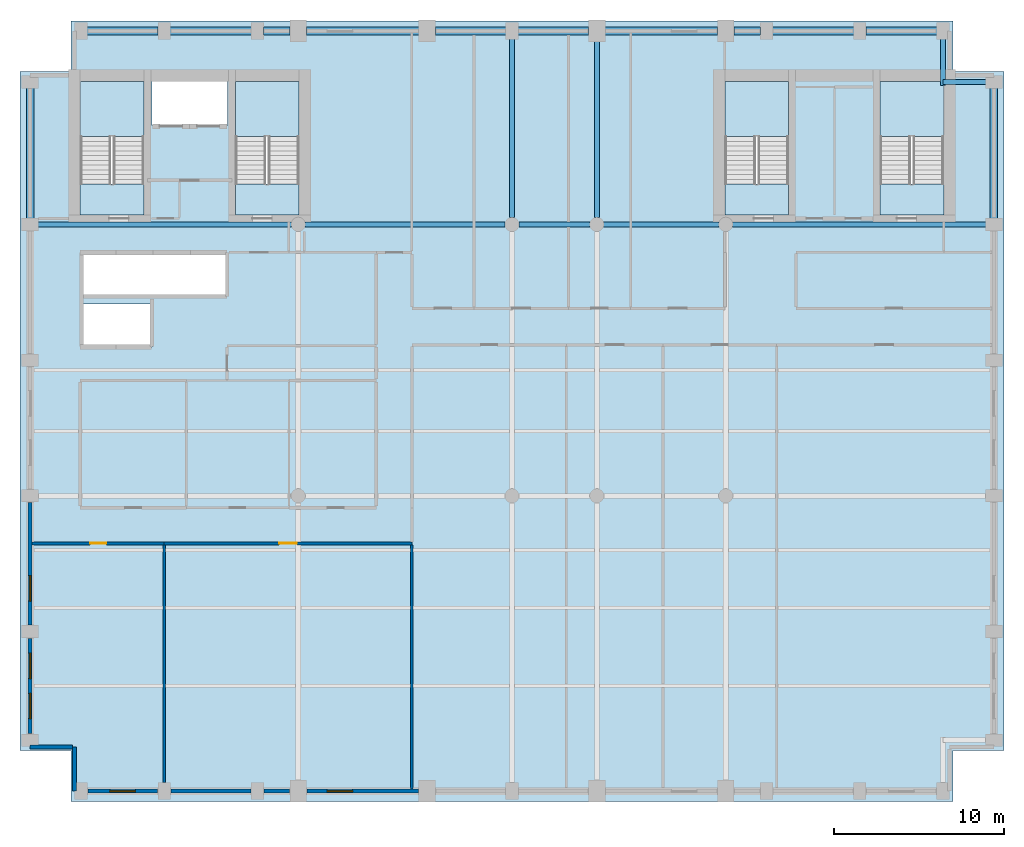
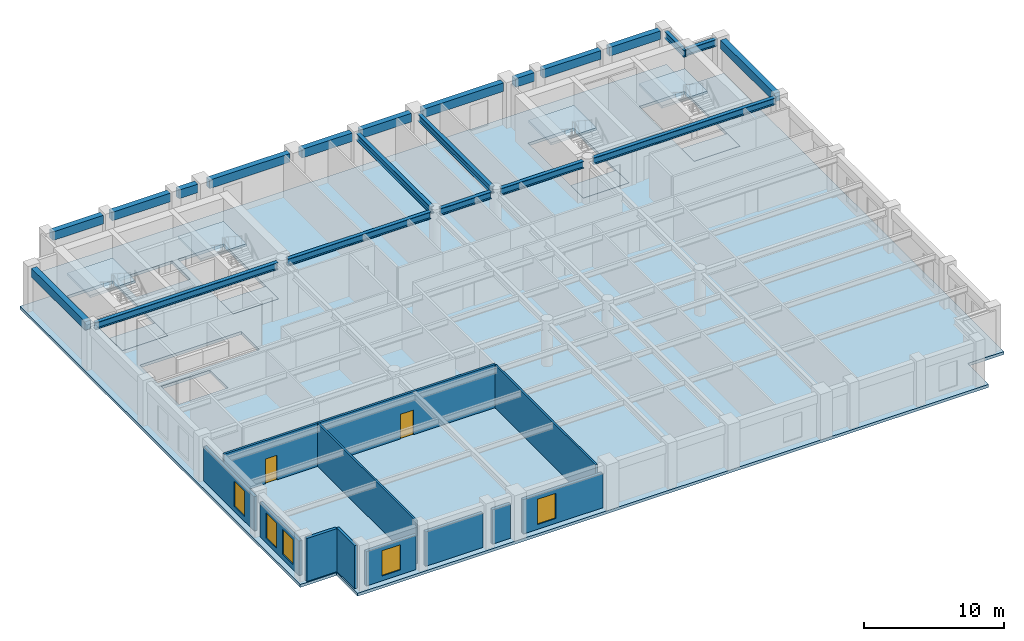
# One storey, part 2 of 8: 21 beams, 12 walls, 9 slabs, 5 windows, 2 doors, 7 openings, 4 elements without a shape of their own.
"""IFC4 building model written with IfcOpenShell, lengths in metres."""

from ifc_helpers import new_model, si_unit, direction, frame, frame_2d, origin, origin_2d, place, context, subcontext, project, spatial, polyline, rectangle, i_section, outline, extrude, material, layer, layer_set, material_profile, profile_set, type_object, element, fill, aggregate, save


model = new_model("IFC4")

# Units and contexts
model_context = context("Model", 3, precision=1e-05, world=origin(), true_north=direction((0.0, 1.0)))
body_context = subcontext(model_context, "Body", "Model", "MODEL_VIEW")
ifc_project = project(units=[si_unit("LENGTHUNIT", "METRE"), si_unit("AREAUNIT", "SQUARE_METRE"), si_unit("VOLUMEUNIT", "CUBIC_METRE"), si_unit("PLANEANGLEUNIT", "RADIAN"), si_unit("MASSUNIT", "GRAM", prefix="KILO")], contexts=[model_context])

# Site, building, storey
site_placement = place(None, origin())
site = spatial("IfcSite", under=ifc_project, at=site_placement, CompositionType="ELEMENT")
building_placement = place(site_placement, origin())
building = spatial("IfcBuilding", under=site, at=building_placement, Name="Sulina Concourse Tower", CompositionType="ELEMENT")
storey_placement = place(building_placement, frame((0.0, 0.0, 226.60009765625)))
storey = spatial("IfcBuildingStorey", under=building, at=storey_placement, Name="L55", CompositionType="ELEMENT", Elevation=226.60009765625)

# Beams
ifc_material_1 = material(Name="Steel S355", Category="steel")
ifc_material_profile_1 = material_profile(ifc_material_1, i_section(OverallWidth=0.300048828125, OverallDepth=0.60009765625, WebThickness=0.015380859375, FlangeThickness=0.030029296875, at=origin_2d()), Name="HE 600 B")
ifc_profile_set_1 = profile_set([ifc_material_profile_1], Name="Steel S355")
beam_type_1 = type_object("IfcBeamType", Name="Floor Primary Girder Zone 3 HE600B", PredefinedType="BEAM", material=ifc_profile_set_1)
beam_1_placement = place(storey_placement, frame((54.39990234375, 42.39990234375, 3.449951171875), z_axis=(1.0, 0.0, 0.0), x_axis=(0.0, 1.0, 0.0)))
element("IfcBeam", 1, at=beam_1_placement, inside=storey, type_object=beam_type_1, Name="TIE-NE-L55", PredefinedType="BEAM", context=body_context, shape_type="SweptSolid", body=[
    extrude(i_section(OverallWidth=0.300048828125, OverallDepth=0.60009765625, WebThickness=0.015380859375, FlangeThickness=0.030029296875, at=origin_2d()), origin(), (0.0, 0.0, 1.0), 2.64501953125),
])
beam_2_placement = place(storey_placement, frame((54.39990234375, 42.199951171875, 3.449951171875), z_axis=(0.0, 1.0, 0.0), x_axis=(-1.0, 0.0, 0.0)))
element("IfcBeam", 2, at=beam_2_placement, inside=storey, type_object=beam_type_1, Name="TIE-NEN-L55", PredefinedType="BEAM", context=body_context, shape_type="SweptSolid", body=[
    extrude(i_section(OverallWidth=0.300048828125, OverallDepth=0.60009765625, WebThickness=0.015380859375, FlangeThickness=0.030029296875, at=origin_2d()), origin(), (0.0, 0.0, 1.0), 2.844970703125),
])
beam_3_placement = place(storey_placement, frame((0.955078125, 34.0, 3.449951171875), z_axis=(1.0, 0.0, 0.0), x_axis=(0.0, 1.0, 0.0)))
element("IfcBeam", 3, at=beam_3_placement, inside=storey, type_object=beam_type_1, Name="FG-EWN1-L55", PredefinedType="BEAM", context=body_context, shape_type="SweptSolid", body=[
    extrude(i_section(OverallWidth=0.300048828125, OverallDepth=0.60009765625, WebThickness=0.015380859375, FlangeThickness=0.030029296875, at=origin_2d()), origin(), (0.0, 0.0, 1.0), 15.0400390625),
])
beam_4_placement = place(storey_placement, frame((16.804931640625, 34.0, 3.449951171875), z_axis=(1.0, 0.0, 0.0), x_axis=(0.0, 1.0, 0.0)))
element("IfcBeam", 4, at=beam_4_placement, inside=storey, type_object=beam_type_1, Name="FG-EWN2-L55", PredefinedType="BEAM", context=body_context, shape_type="SweptSolid", body=[
    extrude(i_section(OverallWidth=0.300048828125, OverallDepth=0.60009765625, WebThickness=0.015380859375, FlangeThickness=0.030029296875, at=origin_2d()), origin(), (0.0, 0.0, 1.0), 11.7900390625),
])
beam_5_placement = place(storey_placement, frame((29.405029296875, 34.0, 3.449951171875), z_axis=(1.0, 0.0, 0.0), x_axis=(0.0, 1.0, 0.0)))
element("IfcBeam", 5, at=beam_5_placement, inside=storey, type_object=beam_type_1, Name="FG-EWN3-L55", PredefinedType="BEAM", context=body_context, shape_type="SweptSolid", body=[
    extrude(i_section(OverallWidth=0.300048828125, OverallDepth=0.60009765625, WebThickness=0.015380859375, FlangeThickness=0.030029296875, at=origin_2d()), origin(), (0.0, 0.0, 1.0), 4.18994140625),
])
beam_6_placement = place(storey_placement, frame((34.405029296875, 34.0, 3.449951171875), z_axis=(1.0, 0.0, 0.0), x_axis=(0.0, 1.0, 0.0)))
element("IfcBeam", 6, at=beam_6_placement, inside=storey, type_object=beam_type_1, Name="FG-EWN4-L55", PredefinedType="BEAM", context=body_context, shape_type="SweptSolid", body=[
    extrude(i_section(OverallWidth=0.300048828125, OverallDepth=0.60009765625, WebThickness=0.015380859375, FlangeThickness=0.030029296875, at=origin_2d()), origin(), (0.0, 0.0, 1.0), 6.7900390625),
])
beam_7_placement = place(storey_placement, frame((42.0048828125, 34.0, 3.449951171875), z_axis=(1.0, 0.0, 0.0), x_axis=(0.0, 1.0, 0.0)))
element("IfcBeam", 7, at=beam_7_placement, inside=storey, type_object=beam_type_1, Name="FG-EWN5-L55", PredefinedType="BEAM", context=body_context, shape_type="SweptSolid", body=[
    extrude(i_section(OverallWidth=0.300048828125, OverallDepth=0.60009765625, WebThickness=0.015380859375, FlangeThickness=0.030029296875, at=origin_2d()), origin(), (0.0, 0.0, 1.0), 15.0400390625),
])
beam_8_placement = place(storey_placement, frame((29.0, 34.405029296875, 3.449951171875), z_axis=(0.0, 1.0, 0.0), x_axis=(-1.0, 0.0, 0.0)))
element("IfcBeam", 8, at=beam_8_placement, inside=storey, type_object=beam_type_1, Name="FG-NSC-29-L55", PredefinedType="BEAM", context=body_context, shape_type="SweptSolid", body=[
    extrude(i_section(OverallWidth=0.300048828125, OverallDepth=0.60009765625, WebThickness=0.015380859375, FlangeThickness=0.030029296875, at=origin_2d()), origin(), (0.0, 0.0, 1.0), 10.639892578125),
])
beam_9_placement = place(storey_placement, frame((34.0, 34.405029296875, 3.449951171875), z_axis=(0.0, 1.0, 0.0), x_axis=(-1.0, 0.0, 0.0)))
element("IfcBeam", 9, at=beam_9_placement, inside=storey, type_object=beam_type_1, Name="FG-NSC-34-L55", PredefinedType="BEAM", context=body_context, shape_type="SweptSolid", body=[
    extrude(i_section(OverallWidth=0.300048828125, OverallDepth=0.60009765625, WebThickness=0.015380859375, FlangeThickness=0.030029296875, at=origin_2d()), origin(), (0.0, 0.0, 1.0), 10.514892578125),
])
ifc_material_2 = material(Name="Precast concrete C50/60", Category="concrete")
ifc_material_profile_2 = material_profile(ifc_material_2, rectangle(XDim=0.449951171875, YDim=0.75, at=origin_2d()), Name="RC 450x750")
ifc_profile_set_2 = profile_set([ifc_material_profile_2], Name="Precast concrete C50/60")
beam_type_2 = type_object("IfcBeamType", Name="Upper Precast Spandrel Edge Beam 450x750", PredefinedType="BEAM", material=ifc_profile_set_2)
beam_10_placement = place(storey_placement, frame((3.955078125, 45.39990234375, 3.375), z_axis=(1.0, 0.0, 0.0), x_axis=(0.0, 1.0, 0.0)))
element("IfcBeam", 10, at=beam_10_placement, inside=storey, type_object=beam_type_2, Name="SP-N1-L55", PredefinedType="BEAM", context=body_context, shape_type="SweptSolid", body=[
    extrude(rectangle(XDim=0.449951171875, YDim=0.75, at=origin_2d()), origin(), (0.0, 0.0, 1.0), 4.18994140625),
])
beam_11_placement = place(storey_placement, frame((8.85498046875, 45.39990234375, 3.375), z_axis=(1.0, 0.0, 0.0), x_axis=(0.0, 1.0, 0.0)))
element("IfcBeam", 11, at=beam_11_placement, inside=storey, type_object=beam_type_2, Name="SP-N2-L55", PredefinedType="BEAM", context=body_context, shape_type="SweptSolid", body=[
    extrude(rectangle(XDim=0.449951171875, YDim=0.75, at=origin_2d()), origin(), (0.0, 0.0, 1.0), 4.7900390625),
])
beam_12_placement = place(storey_placement, frame((14.35498046875, 45.39990234375, 3.375), z_axis=(1.0, 0.0, 0.0), x_axis=(0.0, 1.0, 0.0)))
element("IfcBeam", 12, at=beam_12_placement, inside=storey, type_object=beam_type_2, Name="SP-N3-L55", PredefinedType="BEAM", context=body_context, shape_type="SweptSolid", body=[
    extrude(rectangle(XDim=0.449951171875, YDim=0.75, at=origin_2d()), origin(), (0.0, 0.0, 1.0), 1.56494140625),
])
beam_13_placement = place(storey_placement, frame((16.8798828125, 45.39990234375, 3.375), z_axis=(1.0, 0.0, 0.0), x_axis=(0.0, 1.0, 0.0)))
element("IfcBeam", 13, at=beam_13_placement, inside=storey, type_object=beam_type_2, Name="SP-N4-L55", PredefinedType="BEAM", context=body_context, shape_type="SweptSolid", body=[
    extrude(rectangle(XDim=0.449951171875, YDim=0.75, at=origin_2d()), origin(), (0.0, 0.0, 1.0), 6.64013671875),
])
for number, where, z_axis, x_axis, name in (
    (14, (24.47998046875, 45.39990234375, 3.375), (1.0, 0.0, 0.0), (0.0, 1.0, 0.0), "SP-N5-L55"),
    (15, (29.35498046875, 45.39990234375, 3.375), (1.0, 0.0, 0.0), (0.0, 1.0, 0.0), "SP-N6-L55"),
):
    element("IfcBeam", number, at=place(storey_placement, frame(where, z_axis=z_axis, x_axis=x_axis)), inside=storey, type_object=beam_type_2, Name=name, PredefinedType="BEAM", context=body_context, shape_type="SweptSolid", body=[
        extrude(rectangle(XDim=0.449951171875, YDim=0.75, at=origin_2d()), origin(), (0.0, 0.0, 1.0), 4.1650390625),
    ])
beam_14_placement = place(storey_placement, frame((34.47998046875, 45.39990234375, 3.375), z_axis=(1.0, 0.0, 0.0), x_axis=(0.0, 1.0, 0.0)))
element("IfcBeam", 16, at=beam_14_placement, inside=storey, type_object=beam_type_2, Name="SP-N7-L55", PredefinedType="BEAM", context=body_context, shape_type="SweptSolid", body=[
    extrude(rectangle(XDim=0.449951171875, YDim=0.75, at=origin_2d()), origin(), (0.0, 0.0, 1.0), 6.64013671875),
])
beam_15_placement = place(storey_placement, frame((42.080078125, 45.39990234375, 3.375), z_axis=(1.0, 0.0, 0.0), x_axis=(0.0, 1.0, 0.0)))
element("IfcBeam", 17, at=beam_15_placement, inside=storey, type_object=beam_type_2, Name="SP-N8-L55", PredefinedType="BEAM", context=body_context, shape_type="SweptSolid", body=[
    extrude(rectangle(XDim=0.449951171875, YDim=0.75, at=origin_2d()), origin(), (0.0, 0.0, 1.0), 1.56494140625),
])
beam_16_placement = place(storey_placement, frame((44.35498046875, 45.39990234375, 3.375), z_axis=(1.0, 0.0, 0.0), x_axis=(0.0, 1.0, 0.0)))
element("IfcBeam", 18, at=beam_16_placement, inside=storey, type_object=beam_type_2, Name="SP-N9-L55", PredefinedType="BEAM", context=body_context, shape_type="SweptSolid", body=[
    extrude(rectangle(XDim=0.449951171875, YDim=0.75, at=origin_2d()), origin(), (0.0, 0.0, 1.0), 4.7900390625),
])
beam_17_placement = place(storey_placement, frame((49.85498046875, 45.39990234375, 3.375), z_axis=(1.0, 0.0, 0.0), x_axis=(0.0, 1.0, 0.0)))
element("IfcBeam", 19, at=beam_17_placement, inside=storey, type_object=beam_type_2, Name="SP-N10-L55", PredefinedType="BEAM", context=body_context, shape_type="SweptSolid", body=[
    extrude(rectangle(XDim=0.449951171875, YDim=0.75, at=origin_2d()), origin(), (0.0, 0.0, 1.0), 4.18994140625),
])
for number, where, z_axis, x_axis, name in (
    (20, (0.60009765625, 34.35498046875, 3.375), (0.0, 1.0, 0.0), (-1.0, 0.0, 0.0), "SP-W5-L55"),
    (21, (57.39990234375, 34.35498046875, 3.375), (0.0, 1.0, 0.0), (-1.0, 0.0, 0.0), "SP-E5-L55"),
):
    element("IfcBeam", number, at=place(storey_placement, frame(where, z_axis=z_axis, x_axis=x_axis)), inside=storey, type_object=beam_type_2, Name=name, PredefinedType="BEAM", context=body_context, shape_type="SweptSolid", body=[
        extrude(rectangle(XDim=0.449951171875, YDim=0.75, at=origin_2d()), origin(), (0.0, 0.0, 1.0), 7.68994140625),
    ])

# Slabs
ifc_material_3 = material(Name="Concrete C50/60", Category="concrete")
ifc_layer_1 = layer(ifc_material_3, 0.25)
ifc_layer_set_1 = layer_set([ifc_layer_1], Name="Concrete C50/60")
slab_type_1 = type_object("IfcSlabType", Name="High-Rise Composite Floor Slab 250mm", PredefinedType="FLOOR", material=ifc_layer_set_1)
slab_1_placement = place(storey_placement, frame((0.0, 0.0, -0.25)))
element("IfcSlab", 22, at=slab_1_placement, inside=storey, type_object=slab_type_1, Name="L55 structural floor slab", PredefinedType="FLOOR", context=body_context, shape_type="SweptSolid", body=[
    extrude(outline(polyline([(3.0, 0.0), (55.0, 0.0), (55.0, 3.0), (58.0, 3.0), (58.0, 43.0), (55.0, 43.0), (55.0, 46.0), (3.0, 46.0), (3.0, 43.0), (0.0, 43.0), (0.0, 3.0), (3.0, 3.0), (3.0, 0.0)]), holes=[polyline([(7.31005859375, 34.550048828125), (7.31005859375, 42.429931640625), (3.550048828125, 42.429931640625), (3.550048828125, 34.550048828125), (7.31005859375, 34.550048828125)]), polyline([(16.449951171875, 34.550048828125), (16.449951171875, 42.429931640625), (12.68994140625, 42.429931640625), (12.68994140625, 34.550048828125), (16.449951171875, 34.550048828125)]), polyline([(45.31005859375, 34.550048828125), (45.31005859375, 42.429931640625), (41.550048828125, 42.429931640625), (41.550048828125, 34.550048828125), (45.31005859375, 34.550048828125)]), polyline([(54.449951171875, 34.550048828125), (54.449951171875, 42.429931640625), (50.68994140625, 42.429931640625), (50.68994140625, 34.550048828125), (54.449951171875, 34.550048828125)]), polyline([(7.780029296875, 39.830078125), (12.219970703125, 39.830078125), (12.219970703125, 42.449951171875), (7.780029296875, 42.449951171875), (7.780029296875, 39.830078125)]), polyline([(3.739990234375, 26.780029296875), (7.77001953125, 26.780029296875), (7.77001953125, 29.320068359375), (3.739990234375, 29.320068359375), (3.739990234375, 26.780029296875)]), polyline([(3.739990234375, 29.780029296875), (12.10009765625, 29.780029296875), (12.10009765625, 32.3701171875), (3.739990234375, 32.3701171875), (3.739990234375, 29.780029296875)])]), origin(), (0.0, 0.0, 1.0), 0.25),
])
ifc_material_4 = material(Name="Concrete C50/60", Category="concrete")
ifc_layer_2 = layer(ifc_material_4, 0.199951171875)
ifc_layer_set_2 = layer_set([ifc_layer_2], Name="Concrete C50/60")
slab_type_2 = type_object("IfcSlabType", Name="Primary Core Stair Landing Slab 200mm", PredefinedType="LANDING", material=ifc_layer_set_2)
slab_2_placement = place(storey_placement, frame((0.0, 0.0, -0.2001953125)))
element("IfcSlab", 23, at=slab_2_placement, inside=storey, type_object=slab_type_2, Name="L55 ST-1 floor landing slab", PredefinedType="LANDING", context=body_context, shape_type="SweptSolid", body=[
    extrude(outline(polyline([(7.31005859375, 34.550048828125), (7.31005859375, 36.375), (3.550048828125, 36.375), (3.550048828125, 34.550048828125), (7.31005859375, 34.550048828125)])), origin(), (0.0, 0.0, 1.0), 0.2001953125),
])
slab_3_placement = place(storey_placement, frame((0.0, 0.0, -0.2001953125)))
element("IfcSlab", 24, at=slab_3_placement, inside=storey, type_object=slab_type_2, Name="L55 ST-2 floor landing slab", PredefinedType="LANDING", context=body_context, shape_type="SweptSolid", body=[
    extrude(outline(polyline([(16.449951171875, 34.550048828125), (16.449951171875, 36.375), (12.68994140625, 36.375), (12.68994140625, 34.550048828125), (16.449951171875, 34.550048828125)])), origin(), (0.0, 0.0, 1.0), 0.2001953125),
])
slab_4_placement = place(storey_placement, frame((0.0, 0.0, -0.2001953125)))
element("IfcSlab", 25, at=slab_4_placement, inside=storey, type_object=slab_type_2, Name="L55 ST-3 floor landing slab", PredefinedType="LANDING", context=body_context, shape_type="SweptSolid", body=[
    extrude(outline(polyline([(45.31005859375, 34.550048828125), (45.31005859375, 36.375), (41.550048828125, 36.375), (41.550048828125, 34.550048828125), (45.31005859375, 34.550048828125)])), origin(), (0.0, 0.0, 1.0), 0.2001953125),
])
slab_5_placement = place(storey_placement, frame((0.0, 0.0, -0.2001953125)))
element("IfcSlab", 26, at=slab_5_placement, inside=storey, type_object=slab_type_2, Name="L55 ST-4 floor landing slab", PredefinedType="LANDING", context=body_context, shape_type="SweptSolid", body=[
    extrude(outline(polyline([(54.449951171875, 34.550048828125), (54.449951171875, 36.375), (50.68994140625, 36.375), (50.68994140625, 34.550048828125), (54.449951171875, 34.550048828125)])), origin(), (0.0, 0.0, 1.0), 0.2001953125),
])

# Stair, slab
ifc_material_5 = material(Name="Concrete C50/60", Category="concrete")
stair_type_1 = type_object("IfcStairType", Name="Primary Core Dog-Leg Exit Stair 1800mm", PredefinedType="HALF_TURN_STAIR", material=ifc_material_5)
stair_1_placement = place(storey_placement, origin())
stair_1 = element("IfcStair", 27, at=stair_1_placement, inside=storey, type_object=stair_type_1, Name="L55 ST-1", PredefinedType="HALF_TURN_STAIR")
slab_6_placement = place(storey_placement, frame((0.0, 0.0, 1.7998046875)))
slab_6 = element("IfcSlab", 28, at=slab_6_placement, type_object=slab_type_2, Name="ST-1 landing 1", PredefinedType="LANDING", context=body_context, shape_type="SweptSolid", body=[
    extrude(outline(polyline([(7.304931640625, 39.175048828125), (7.304931640625, 42.425048828125), (3.554931640625, 42.425048828125), (3.554931640625, 39.175048828125), (7.304931640625, 39.175048828125)])), origin(), (0.0, 0.0, 1.0), 0.2001953125),
])
aggregate(stair_1, [slab_6])

stair_2_placement = place(storey_placement, origin())
stair_2 = element("IfcStair", 29, at=stair_2_placement, inside=storey, type_object=stair_type_1, Name="L55 ST-2", PredefinedType="HALF_TURN_STAIR")
slab_7_placement = place(storey_placement, frame((0.0, 0.0, 1.7998046875)))
slab_7 = element("IfcSlab", 30, at=slab_7_placement, type_object=slab_type_2, Name="ST-2 landing 1", PredefinedType="LANDING", context=body_context, shape_type="SweptSolid", body=[
    extrude(outline(polyline([(16.445068359375, 39.175048828125), (16.445068359375, 42.425048828125), (12.695068359375, 42.425048828125), (12.695068359375, 39.175048828125), (16.445068359375, 39.175048828125)])), origin(), (0.0, 0.0, 1.0), 0.2001953125),
])
aggregate(stair_2, [slab_7])

ifc_material_6 = material(Name="Concrete C50/60", Category="concrete")
stair_type_2 = type_object("IfcStairType", Name="Portal & Podium Core Exit Stair 1820mm", PredefinedType="HALF_TURN_STAIR", material=ifc_material_6)
stair_3_placement = place(storey_placement, origin())
stair_3 = element("IfcStair", 31, at=stair_3_placement, inside=storey, type_object=stair_type_2, Name="L55 ST-3", PredefinedType="HALF_TURN_STAIR")
slab_8_placement = place(storey_placement, frame((0.0, 0.0, 1.7998046875)))
slab_8 = element("IfcSlab", 32, at=slab_8_placement, type_object=slab_type_2, Name="ST-3 landing 1", PredefinedType="LANDING", context=body_context, shape_type="SweptSolid", body=[
    extrude(outline(polyline([(45.304931640625, 39.175048828125), (45.304931640625, 42.425048828125), (41.554931640625, 42.425048828125), (41.554931640625, 39.175048828125), (45.304931640625, 39.175048828125)])), origin(), (0.0, 0.0, 1.0), 0.2001953125),
])
aggregate(stair_3, [slab_8])

stair_4_placement = place(storey_placement, origin())
stair_4 = element("IfcStair", 33, at=stair_4_placement, inside=storey, type_object=stair_type_2, Name="L55 ST-4", PredefinedType="HALF_TURN_STAIR")
slab_9_placement = place(storey_placement, frame((0.0, 0.0, 1.7998046875)))
slab_9 = element("IfcSlab", 34, at=slab_9_placement, type_object=slab_type_2, Name="ST-4 landing 1", PredefinedType="LANDING", context=body_context, shape_type="SweptSolid", body=[
    extrude(outline(polyline([(54.445068359375, 39.175048828125), (54.445068359375, 42.425048828125), (50.695068359375, 42.425048828125), (50.695068359375, 39.175048828125), (54.445068359375, 39.175048828125)])), origin(), (0.0, 0.0, 1.0), 0.2001953125),
])
aggregate(stair_4, [slab_9])

# Wall, opening, window
ifc_material_7 = material(Name="Precast concrete C50/60", Category="concrete")
ifc_layer_3 = layer(ifc_material_7, 0.239990234375)
ifc_layer_set_3 = layer_set([ifc_layer_3], Name="Precast concrete C50/60")
wall_type_1 = type_object("IfcWallType", Name="Crown Precast Masonry-Frame Facade Wall 240mm", PredefinedType="SOLIDWALL", material=ifc_layer_set_3)
wall_1_placement = place(storey_placement, frame((8.10498046875, 0.60009765625, 0.0), z_axis=(0.0, 0.0, 1.0), x_axis=(-1.0, 0.0, 0.0)))
wall_1 = element("IfcWall", 35, at=wall_1_placement, inside=storey, type_object=wall_type_1, Name="L55 exterior precast wall S1", PredefinedType="SOLIDWALL", context=body_context, shape_type="SweptSolid", body=[
    extrude(rectangle(XDim=4.10986328125, YDim=0.239990234375, at=frame_2d((2.054931640625, 0.0))), origin(), (0.0, 0.0, 1.0), 3.0),
])
opening_1_placement = place(wall_1_placement, frame((1.304931640625, 0.0, 0.419921875)))
opening_1 = element("IfcOpeningElement", 36, at=opening_1_placement, cuts=wall_1, Name="Opening WN-71", PredefinedType="OPENING", context=body_context, shape_type="SweptSolid", body=[
    extrude(rectangle(XDim=1.5, YDim=2.199951171875, at=frame_2d((0.75, 1.10009765625))), frame((0.0, 0.1298828125, 0.0), z_axis=(0.0, -1.0, 0.0), x_axis=(1.0, 0.0, 0.0)), (0.0, 0.0, 1.0), 0.260009765625),
])
ifc_material_8 = material(Name="Low-E solar double glazing in bronze aluminium", Category="aluminium")
window_type = type_object("IfcWindowType", Name="Punched Masonry-Frame Window 1500x2200", PartitioningType="SINGLE_PANEL", PredefinedType="WINDOW", material=ifc_material_8)
window_1_placement = place(opening_1_placement, origin())
window_1 = element("IfcWindow", 37, at=window_1_placement, inside=storey, type_object=window_type, Name="L55 punched window S1-1", OverallHeight=2.199951171875, OverallWidth=1.5, PartitioningType="SINGLE_PANEL", PredefinedType="WINDOW", context=body_context, shape_type="SweptSolid", body=[
    extrude(rectangle(XDim=1.5, YDim=2.199951171875, at=frame_2d((0.75, 1.10009765625))), frame((0.0, 0.030029296875, 0.0), z_axis=(0.0, -1.0, 0.0), x_axis=(1.0, 0.0, 0.0)), (0.0, 0.0, 1.0), 0.06005859375),
])
fill(opening_1, window_1)

# Walls
wall_2_placement = place(storey_placement, frame((13.60498046875, 0.60009765625, 0.0), z_axis=(0.0, 0.0, 1.0), x_axis=(-1.0, 0.0, 0.0)))
element("IfcWall", 38, at=wall_2_placement, inside=storey, type_object=wall_type_1, Name="L55 exterior precast wall S2", PredefinedType="SOLIDWALL", context=body_context, shape_type="SweptSolid", body=[
    extrude(rectangle(XDim=4.7099609375, YDim=0.239990234375, at=frame_2d((2.35498046875, 0.0))), origin(), (0.0, 0.0, 1.0), 3.0),
])
wall_3_placement = place(storey_placement, frame((15.8798828125, 0.60009765625, 0.0), z_axis=(0.0, 0.0, 1.0), x_axis=(-1.0, 0.0, 0.0)))
element("IfcWall", 39, at=wall_3_placement, inside=storey, type_object=wall_type_1, Name="L55 exterior precast wall S3", PredefinedType="SOLIDWALL", context=body_context, shape_type="SweptSolid", body=[
    extrude(rectangle(XDim=1.48486328125, YDim=0.239990234375, at=frame_2d((0.742431640625, 0.0))), origin(), (0.0, 0.0, 1.0), 3.0),
])

# Wall, opening, window
wall_4_placement = place(storey_placement, frame((23.47998046875, 0.60009765625, 0.0), z_axis=(0.0, 0.0, 1.0), x_axis=(-1.0, 0.0, 0.0)))
wall_4 = element("IfcWall", 40, at=wall_4_placement, inside=storey, type_object=wall_type_1, Name="L55 exterior precast wall S4", PredefinedType="SOLIDWALL", context=body_context, shape_type="SweptSolid", body=[
    extrude(rectangle(XDim=6.56005859375, YDim=0.239990234375, at=frame_2d((3.280029296875, 0.0))), origin(), (0.0, 0.0, 1.0), 3.0),
])
opening_2_placement = place(wall_4_placement, frame((3.873291015625, 0.0, 0.419921875)))
opening_2 = element("IfcOpeningElement", 41, at=opening_2_placement, cuts=wall_4, Name="Opening WN-71", PredefinedType="OPENING", context=body_context, shape_type="SweptSolid", body=[
    extrude(rectangle(XDim=1.5, YDim=2.199951171875, at=frame_2d((0.75, 1.10009765625))), frame((0.0, 0.1298828125, 0.0), z_axis=(0.0, -1.0, 0.0), x_axis=(1.0, 0.0, 0.0)), (0.0, 0.0, 1.0), 0.260009765625),
])
window_2_placement = place(opening_2_placement, origin())
window_2 = element("IfcWindow", 42, at=window_2_placement, inside=storey, type_object=window_type, Name="L55 punched window S4-1", OverallHeight=2.199951171875, OverallWidth=1.5, PartitioningType="SINGLE_PANEL", PredefinedType="WINDOW", context=body_context, shape_type="SweptSolid", body=[
    extrude(rectangle(XDim=1.5, YDim=2.199951171875, at=frame_2d((0.75, 1.10009765625))), frame((0.0, 0.030029296875, 0.0), z_axis=(0.0, -1.0, 0.0), x_axis=(1.0, 0.0, 0.0)), (0.0, 0.0, 1.0), 0.06005859375),
])
fill(opening_2, window_2)

# Wall, openings, windows
wall_5_placement = place(storey_placement, frame((0.60009765625, 3.9951171875, 0.0), z_axis=(0.0, 0.0, 1.0), x_axis=(0.0, 1.0, 0.0)))
wall_5 = element("IfcWall", 43, at=wall_5_placement, inside=storey, type_object=wall_type_1, Name="L55 exterior precast wall W1", PredefinedType="SOLIDWALL", context=body_context, shape_type="SweptSolid", body=[
    extrude(rectangle(XDim=5.60986328125, YDim=0.239990234375, at=frame_2d((2.804931640625, 0.0))), origin(), (0.0, 0.0, 1.0), 3.0),
])
opening_3_placement = place(wall_5_placement, frame((0.8701171875, 0.0, 0.419921875)))
opening_3 = element("IfcOpeningElement", 44, at=opening_3_placement, cuts=wall_5, Name="Opening WN-71", PredefinedType="OPENING", context=body_context, shape_type="SweptSolid", body=[
    extrude(rectangle(XDim=1.5, YDim=2.199951171875, at=frame_2d((0.75, 1.10009765625))), frame((0.0, 0.1298828125, 0.0), z_axis=(0.0, -1.0, 0.0), x_axis=(1.0, 0.0, 0.0)), (0.0, 0.0, 1.0), 0.260009765625),
])
opening_4_placement = place(wall_5_placement, frame((3.239990234375, 0.0, 0.419921875)))
opening_4 = element("IfcOpeningElement", 45, at=opening_4_placement, cuts=wall_5, Name="Opening WN-71", PredefinedType="OPENING", context=body_context, shape_type="SweptSolid", body=[
    extrude(rectangle(XDim=1.5, YDim=2.199951171875, at=frame_2d((0.75, 1.10009765625))), frame((0.0, 0.1298828125, 0.0), z_axis=(0.0, -1.0, 0.0), x_axis=(1.0, 0.0, 0.0)), (0.0, 0.0, 1.0), 0.260009765625),
])
window_3_placement = place(opening_3_placement, origin())
window_3 = element("IfcWindow", 46, at=window_3_placement, inside=storey, type_object=window_type, Name="L55 punched window W1-1", OverallHeight=2.199951171875, OverallWidth=1.5, PartitioningType="SINGLE_PANEL", PredefinedType="WINDOW", context=body_context, shape_type="SweptSolid", body=[
    extrude(rectangle(XDim=1.5, YDim=2.199951171875, at=frame_2d((0.75, 1.10009765625))), frame((0.0, 0.030029296875, 0.0), z_axis=(0.0, -1.0, 0.0), x_axis=(1.0, 0.0, 0.0)), (0.0, 0.0, 1.0), 0.06005859375),
])
fill(opening_3, window_3)
window_4_placement = place(opening_4_placement, origin())
window_4 = element("IfcWindow", 47, at=window_4_placement, inside=storey, type_object=window_type, Name="L55 punched window W1-2", OverallHeight=2.199951171875, OverallWidth=1.5, PartitioningType="SINGLE_PANEL", PredefinedType="WINDOW", context=body_context, shape_type="SweptSolid", body=[
    extrude(rectangle(XDim=1.5, YDim=2.199951171875, at=frame_2d((0.75, 1.10009765625))), frame((0.0, 0.030029296875, 0.0), z_axis=(0.0, -1.0, 0.0), x_axis=(1.0, 0.0, 0.0)), (0.0, 0.0, 1.0), 0.06005859375),
])
fill(opening_4, window_4)

# Wall, opening, window
wall_6_placement = place(storey_placement, frame((0.60009765625, 10.39501953125, 0.0), z_axis=(0.0, 0.0, 1.0), x_axis=(0.0, 1.0, 0.0)))
wall_6 = element("IfcWall", 48, at=wall_6_placement, inside=storey, type_object=wall_type_1, Name="L55 exterior precast wall W2", PredefinedType="SOLIDWALL", context=body_context, shape_type="SweptSolid", body=[
    extrude(rectangle(XDim=7.2099609375, YDim=0.239990234375, at=frame_2d((3.60498046875, 0.0))), origin(), (0.0, 0.0, 1.0), 3.0),
])
opening_5_placement = place(wall_6_placement, frame((1.4033203125, 0.0, 0.419921875)))
opening_5 = element("IfcOpeningElement", 49, at=opening_5_placement, cuts=wall_6, Name="Opening WN-71", PredefinedType="OPENING", context=body_context, shape_type="SweptSolid", body=[
    extrude(rectangle(XDim=1.5, YDim=2.199951171875, at=frame_2d((0.75, 1.10009765625))), frame((0.0, 0.1298828125, 0.0), z_axis=(0.0, -1.0, 0.0), x_axis=(1.0, 0.0, 0.0)), (0.0, 0.0, 1.0), 0.260009765625),
])
window_5_placement = place(opening_5_placement, origin())
window_5 = element("IfcWindow", 50, at=window_5_placement, inside=storey, type_object=window_type, Name="L55 punched window W2-1", OverallHeight=2.199951171875, OverallWidth=1.5, PartitioningType="SINGLE_PANEL", PredefinedType="WINDOW", context=body_context, shape_type="SweptSolid", body=[
    extrude(rectangle(XDim=1.5, YDim=2.199951171875, at=frame_2d((0.75, 1.10009765625))), frame((0.0, 0.030029296875, 0.0), z_axis=(0.0, -1.0, 0.0), x_axis=(1.0, 0.0, 0.0)), (0.0, 0.0, 1.0), 0.06005859375),
])
fill(opening_5, window_5)

# Walls
wall_7_placement = place(storey_placement, frame((3.205078125, 0.60009765625, 0.0), z_axis=(0.0, 0.0, 1.0), x_axis=(0.0, 1.0, 0.0)))
element("IfcWall", 51, at=wall_7_placement, inside=storey, type_object=wall_type_1, Name="L55 exterior precast wall CSW1", PredefinedType="SOLIDWALL", context=body_context, shape_type="SweptSolid", body=[
    extrude(rectangle(XDim=2.60498046875, YDim=0.239990234375, at=frame_2d((1.302490234375, 0.0))), origin(), (0.0, 0.0, 1.0), 3.75),
])
wall_8_placement = place(storey_placement, frame((3.080078125, 3.205078125, 0.0), z_axis=(0.0, 0.0, 1.0), x_axis=(-1.0, 0.0, 0.0)))
element("IfcWall", 52, at=wall_8_placement, inside=storey, type_object=wall_type_1, Name="L55 exterior precast wall CSW2", PredefinedType="SOLIDWALL", context=body_context, shape_type="SweptSolid", body=[
    extrude(rectangle(XDim=2.47998046875, YDim=0.239990234375, at=frame_2d((1.239990234375, 0.0))), origin(), (0.0, 0.0, 1.0), 3.75),
])
ifc_material_9 = material(Name="Gypsum board on steel stud", Category="steel")
ifc_layer_4 = layer(ifc_material_9, 0.14990234375)
ifc_layer_set_4 = layer_set([ifc_layer_4], Name="Gypsum board on steel stud")
wall_type_2 = type_object("IfcWallType", Name="Inter-Tenancy Acoustic Partition 150mm", PredefinedType="PARTITIONING", material=ifc_layer_set_4)
wall_9_placement = place(storey_placement, frame((8.5, 1.10009765625, 0.0), z_axis=(0.0, 0.0, 1.0), x_axis=(0.0, 1.0, 0.0)))
element("IfcWall", 53, at=wall_9_placement, inside=storey, type_object=wall_type_2, Name="L55 interior partition 031", PredefinedType="PARTITIONING", context=body_context, shape_type="SweptSolid", body=[
    extrude(rectangle(XDim=14.010009765625, YDim=0.14990234375, at=frame_2d((7.0048828125, 0.0))), origin(), (0.0, 0.0, 1.0), 3.75),
])
wall_10_placement = place(storey_placement, frame((23.10009765625, 0.719970703125, 0.0), z_axis=(0.0, 0.0, 1.0), x_axis=(0.0, 1.0, 0.0)))
element("IfcWall", 54, at=wall_10_placement, inside=storey, type_object=wall_type_2, Name="L55 interior partition 041", PredefinedType="PARTITIONING", context=body_context, shape_type="SweptSolid", body=[
    extrude(rectangle(XDim=14.39013671875, YDim=0.14990234375, at=frame_2d((7.195068359375, 0.0))), origin(), (0.0, 0.0, 1.0), 3.75),
])

# Wall, opening, door
ifc_material_10 = material(Name="Gypsum board on steel stud", Category="steel")
ifc_layer_5 = layer(ifc_material_10, 0.179931640625)
ifc_layer_set_5 = layer_set([ifc_layer_5], Name="Gypsum board on steel stud")
wall_type_3 = type_object("IfcWallType", Name="Protected Corridor & Riser Partition 180mm", PredefinedType="PARTITIONING", material=ifc_layer_set_5)
wall_11_placement = place(storey_placement, frame((0.719970703125, 15.199951171875, 0.0), z_axis=(0.0, 0.0, 1.0), x_axis=(1.0, 0.0, 0.0)))
wall_11 = element("IfcWall", 55, at=wall_11_placement, inside=storey, type_object=wall_type_3, Name="L55 interior partition 001", PredefinedType="PARTITIONING", context=body_context, shape_type="SweptSolid", body=[
    extrude(rectangle(XDim=7.780029296875, YDim=0.179931640625, at=frame_2d((3.89013671875, 0.0))), origin(), (0.0, 0.0, 1.0), 3.75),
])
opening_6_placement = place(wall_11_placement, frame((3.4150390625, 0.0, 0.0)))
opening_6 = element("IfcOpeningElement", 56, at=opening_6_placement, cuts=wall_11, Name="Opening DR-19", PredefinedType="OPENING", context=body_context, shape_type="SweptSolid", body=[
    extrude(rectangle(XDim=0.949951171875, YDim=2.14990234375, at=frame_2d((0.47509765625, 1.074951171875))), frame((0.0, 0.099853515625, 0.0), z_axis=(0.0, -1.0, 0.0), x_axis=(1.0, 0.0, 0.0)), (0.0, 0.0, 1.0), 0.199951171875),
])
ifc_material_11 = material(Name="Oak-veneered acoustic timber leaf", Category="wood")
ifc_layer_6 = layer(ifc_material_11, 0.050048828125)
ifc_layer_set_6 = layer_set([ifc_layer_6], Name="Oak-veneered acoustic timber leaf")
door_type_1 = type_object("IfcDoorType", Name="Cellular Office & Meeting Door 950x2150", OperationType="NOTDEFINED", PredefinedType="DOOR", material=ifc_layer_set_6)
door_1_placement = place(opening_6_placement, origin())
door_1 = element("IfcDoor", 57, at=door_1_placement, inside=storey, type_object=door_type_1, Name="L55 interior door L55-S01", OperationType="SINGLE_SWING_LEFT", OverallHeight=2.14990234375, OverallWidth=0.949951171875, PredefinedType="DOOR", context=body_context, shape_type="SweptSolid", body=[
    extrude(rectangle(XDim=0.949951171875, YDim=2.14990234375, at=frame_2d((0.47509765625, 1.074951171875))), frame((0.0, 0.02490234375, 0.0), z_axis=(0.0, -1.0, 0.0), x_axis=(1.0, 0.0, 0.0)), (0.0, 0.0, 1.0), 0.050048828125),
])
fill(opening_6, door_1)

wall_12_placement = place(storey_placement, frame((8.5, 15.199951171875, 0.0), z_axis=(0.0, 0.0, 1.0), x_axis=(1.0, 0.0, 0.0)))
wall_12 = element("IfcWall", 58, at=wall_12_placement, inside=storey, type_object=wall_type_3, Name="L55 interior partition 002", PredefinedType="PARTITIONING", context=body_context, shape_type="SweptSolid", body=[
    extrude(rectangle(XDim=14.60009765625, YDim=0.179931640625, at=frame_2d((7.300048828125, 0.0))), origin(), (0.0, 0.0, 1.0), 3.75),
])
opening_7_placement = place(wall_12_placement, frame((6.77490234375, 0.0, 0.0)))
opening_7 = element("IfcOpeningElement", 59, at=opening_7_placement, cuts=wall_12, Name="Opening DR-37", PredefinedType="OPENING", context=body_context, shape_type="SweptSolid", body=[
    extrude(rectangle(XDim=1.050048828125, YDim=2.14990234375, at=frame_2d((0.52490234375, 1.074951171875))), frame((0.0, 0.099853515625, 0.0), z_axis=(0.0, -1.0, 0.0), x_axis=(1.0, 0.0, 0.0)), (0.0, 0.0, 1.0), 0.199951171875),
])
ifc_material_12 = material(Name="Oak-veneered fire door leaf")
ifc_layer_7 = layer(ifc_material_12, 0.050048828125)
ifc_layer_set_7 = layer_set([ifc_layer_7], Name="Oak-veneered fire door leaf")
door_type_2 = type_object("IfcDoorType", Name="Tenant Suite Entrance Fire Door 1050x2150", OperationType="NOTDEFINED", PredefinedType="DOOR", material=ifc_layer_set_7)
door_2_placement = place(opening_7_placement, origin())
door_2 = element("IfcDoor", 60, at=door_2_placement, inside=storey, type_object=door_type_2, Name="L55 interior door L55-S02", OperationType="SINGLE_SWING_RIGHT", OverallHeight=2.14990234375, OverallWidth=1.050048828125, PredefinedType="DOOR", context=body_context, shape_type="SweptSolid", body=[
    extrude(rectangle(XDim=1.050048828125, YDim=2.14990234375, at=frame_2d((0.52490234375, 1.074951171875))), frame((0.0, 0.02490234375, 0.0), z_axis=(0.0, -1.0, 0.0), x_axis=(1.0, 0.0, 0.0)), (0.0, 0.0, 1.0), 0.050048828125),
])
fill(opening_7, door_2)

save(model, "model.ifc")
